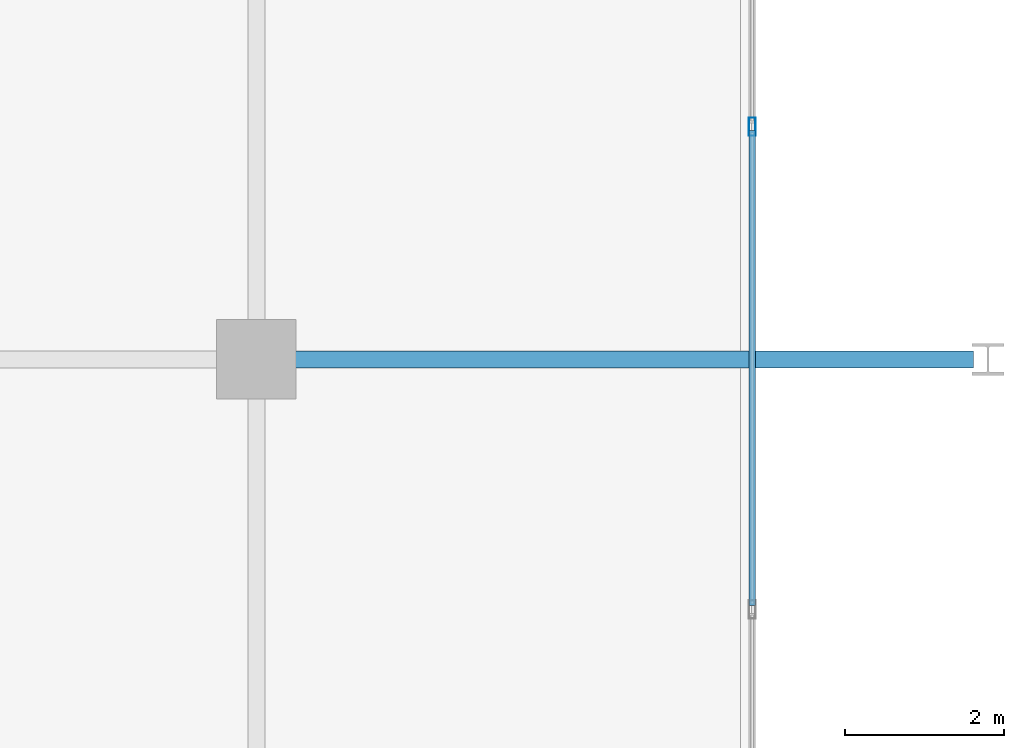
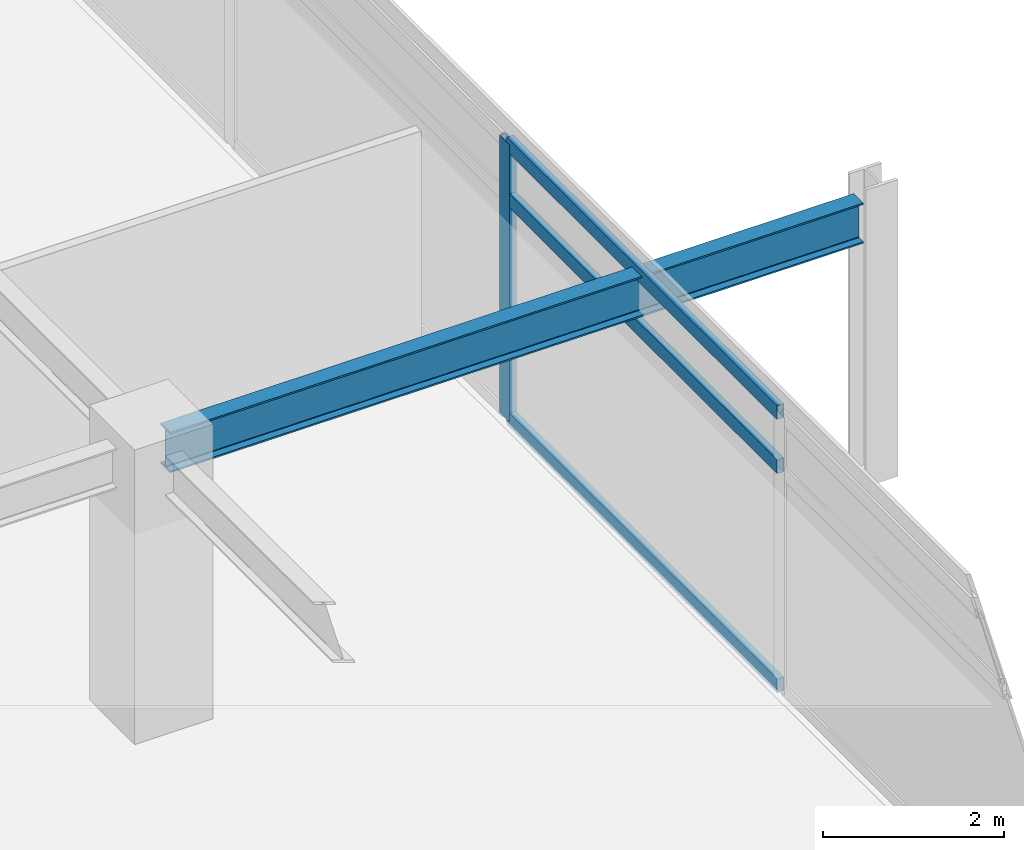
# One storey, part 7 of 20: 4 members, 1 beam, 1 element without a shape of its own.
"""IFC4 building model written with IfcOpenShell, lengths in metres."""

import ifcopenshell
import ifcopenshell.guid

model = None  # the IFC model being written
_history = None  # IfcOwnerHistory: only IFC2X3 demands one
_inside = {}  # id of a spatial element -> (the spatial element, [elements in it])
_under = {}  # id of a project, library or spatial element -> (it, [spatial elements below it])
_declared = {}  # id of a project -> (the project, [libraries it declares])
_typed = {}  # id of a type object -> (the type object, [elements of that type])
_made_of = {}  # id of a material, layer set ... -> (it, [elements and type objects made of it])


def new_model(schema):
    """Start an empty IFC model of exactly this schema.

    Asked for "IFC4X3", IfcOpenShell would pick the latest addendum, in which some entities
    have other attributes; the version numbers below select the first issue.
    IFC2X3 requires an IfcOwnerHistory on every rooted entity: one is made here for all.
    """
    global model, _history
    if schema == "IFC4X3":
        model = ifcopenshell.file(schema_version=(4, 3, 0, 0))
    else:
        model = ifcopenshell.file(schema=schema)
    _inside.clear()
    _under.clear()
    _declared.clear()
    _typed.clear()
    _made_of.clear()
    _history = None
    if model.schema == "IFC2X3":
        org = make("IfcOrganization", Name="unknown")
        user = make(
            "IfcPersonAndOrganization",
            ThePerson=make("IfcPerson", FamilyName="unknown"),
            TheOrganization=org,
        )
        app = make(
            "IfcApplication",
            ApplicationDeveloper=org,
            Version="unknown",
            ApplicationFullName="unknown",
            ApplicationIdentifier="unknown",
        )
        _history = make(
            "IfcOwnerHistory",
            OwningUser=user,
            OwningApplication=app,
            ChangeAction="ADDED",
            CreationDate=0,
        )
    return model


def make(cls, **values):
    """One entity of the class cls with the attributes given. An attribute that is None is left unset."""
    return model.create_entity(
        cls, **{name: value for name, value in values.items() if value is not None}
    )


def rooted(cls, **values):
    """An entity with a GlobalId (a new one), such as an element, a storey or a relation."""
    return make(cls, GlobalId=ifcopenshell.guid.new(), OwnerHistory=_history, **values)


def si_unit(unit_type, name, prefix=None):
    """IfcSIUnit, for example si_unit("LENGTHUNIT", "METRE", prefix="MILLI")."""
    return make("IfcSIUnit", UnitType=unit_type, Prefix=prefix, Name=name)


def assignment(units):
    """IfcUnitAssignment: the units of a project."""
    return None if units is None else make("IfcUnitAssignment", Units=units)


def point(xyz):
    """IfcCartesianPoint."""
    return None if xyz is None else make("IfcCartesianPoint", Coordinates=xyz)


def direction(xyz):
    """IfcDirection."""
    return None if xyz is None else make("IfcDirection", DirectionRatios=xyz)


def frame(location, z_axis=None, x_axis=None):
    """IfcAxis2Placement3D, a coordinate frame: its origin and axes. An axis left out is left unset."""
    return make(
        "IfcAxis2Placement3D",
        Location=point(location),
        Axis=direction(z_axis),
        RefDirection=direction(x_axis),
    )


def frame_2d(location, x_axis=None):
    """IfcAxis2Placement2D, a coordinate frame in the plane: its origin and x axis."""
    return make(
        "IfcAxis2Placement2D", Location=point(location), RefDirection=direction(x_axis)
    )


def origin():
    """The frame at (0, 0, 0) with its axes left unset."""
    return frame((0.0, 0.0, 0.0))


def origin_2d():
    """The frame at (0, 0) in the plane with its x axis left unset."""
    return frame_2d((0.0, 0.0))


def place(relative_to, where):
    """IfcLocalPlacement: puts the frame where relative to a parent placement (None: the world)."""
    return make(
        "IfcLocalPlacement", PlacementRelTo=relative_to, RelativePlacement=where
    )


def context(
    kind, dimensions, precision=None, world=None, true_north=None, identifier=None
):
    """IfcGeometricRepresentationContext, for example the 3D "Model" context."""
    return make(
        "IfcGeometricRepresentationContext",
        ContextIdentifier=identifier,
        ContextType=kind,
        CoordinateSpaceDimension=dimensions,
        Precision=precision,
        WorldCoordinateSystem=world,
        TrueNorth=true_north,
    )


def subcontext(parent, identifier, kind, view, scale=None):
    """IfcGeometricRepresentationSubContext, for example "Body" below "Model"."""
    return make(
        "IfcGeometricRepresentationSubContext",
        ContextIdentifier=identifier,
        ContextType=kind,
        ParentContext=parent,
        TargetScale=scale,
        TargetView=view,
    )


def project(units=None, contexts=None):
    """IfcProject with its units and contexts."""
    return rooted(
        "IfcProject",
        Name="project",
        RepresentationContexts=contexts,
        UnitsInContext=assignment(units),
    )


def spatial(cls, under=None, at=None, **own):
    """A site, building, storey or space (cls), placed at a placement, below another one or the project."""
    s = rooted(cls, ObjectPlacement=at, **own)
    if under is not None:
        _under.setdefault(under.id(), (under, []))[1].append(s)
    return s


def profile(cls, at=None, kind="AREA", **sizes):
    """A parametric profile (cls). Its sizes go by their IFC names, for example OverallWidth=200.0."""
    return make(cls, ProfileType=kind, Position=at, **sizes)


def hollow_rectangle(**sizes):
    """IfcRectangleHollowProfileDef."""
    return profile("IfcRectangleHollowProfileDef", **sizes)


def i_section(**sizes):
    """IfcIShapeProfileDef."""
    return profile("IfcIShapeProfileDef", **sizes)


def extrude(swept, where, along, depth):
    """IfcExtrudedAreaSolid: the profile swept, set in the frame where, extruded along a direction by depth."""
    return make(
        "IfcExtrudedAreaSolid",
        SweptArea=swept,
        Position=where,
        ExtrudedDirection=direction(along),
        Depth=depth,
    )


def shape(context_of_items, identifier, shape_type, items):
    """IfcShapeRepresentation: the items that make up one representation, for example the "Body"."""
    return make(
        "IfcShapeRepresentation",
        ContextOfItems=context_of_items,
        RepresentationIdentifier=identifier,
        RepresentationType=shape_type,
        Items=items,
    )


def material(Name=None, Category=None):
    """IfcMaterial."""
    return make("IfcMaterial", Name=Name, Category=Category)


def material_profile(
    of_material, cross_section, Name=None, Category=None, Priority=None
):
    """IfcMaterialProfile: a cross section and its material."""
    return make(
        "IfcMaterialProfile",
        Name=Name,
        Material=of_material,
        Profile=cross_section,
        Priority=Priority,
        Category=Category,
    )


def profile_set(profiles, Name=None, composite=None):
    """IfcMaterialProfileSet."""
    return make(
        "IfcMaterialProfileSet",
        Name=Name,
        MaterialProfiles=profiles,
        CompositeProfile=composite,
    )


def made_of(thing, what):
    """Note that an element or type object is made of a material, layer set ...; save() writes the relation."""
    if what is not None:
        _made_of.setdefault(what.id(), (what, []))[1].append(thing)
    return thing


def type_object(cls, material=None, **own):
    """A type object (cls), such as IfcWallType, which elements share."""
    return made_of(rooted(cls, **own), material)


def element(
    cls,
    number,
    at=None,
    inside=None,
    cuts=None,
    type_object=None,
    material=None,
    context=None,
    identifier="Body",
    shape_type=None,
    held_by="IfcProductDefinitionShape",
    body=None,
    shapes=None,
    **own,
):
    """One element of the class cls, such as IfcWall. Its Tag is "e" and its number.

    at: its placement. inside: the storey or other place that contains it. cuts: it is an
    opening in that element (IfcRelVoidsElement). A single representation is given by context,
    identifier, shape_type and body (its items); several are given by shapes. held_by: the class
    of the entity that holds the representations. save() writes the other relations.
    """
    e = rooted(cls, Tag="e%d" % number, ObjectPlacement=at, **own)
    if body is not None:
        shapes = [shape(context, identifier, shape_type, body)]
    if shapes is not None:
        e.Representation = make(held_by, Representations=shapes)
    if inside is not None:
        _inside.setdefault(inside.id(), (inside, []))[1].append(e)
    if cuts is not None:
        rooted(
            "IfcRelVoidsElement", RelatingBuildingElement=cuts, RelatedOpeningElement=e
        )
    if type_object is not None:
        _typed.setdefault(type_object.id(), (type_object, []))[1].append(e)
    return made_of(e, material)


def aggregate(whole, parts):
    """IfcRelAggregates: a whole, such as a stair, and the parts it consists of."""
    return rooted("IfcRelAggregates", RelatingObject=whole, RelatedObjects=parts)


def save(model, path):
    """Write the relations noted so far, then the file.

    IfcRelAggregates (storeys below a building ...), IfcRelContainedInSpatialStructure (elements
    in a storey), IfcRelDefinesByType, IfcRelAssociatesMaterial and IfcRelDeclares: one each for
    every whole, place, type object, material and project.
    """
    for whole, parts in _under.values():
        aggregate(whole, parts)
    for where, things in _inside.values():
        rooted(
            "IfcRelContainedInSpatialStructure",
            RelatedElements=things,
            RelatingStructure=where,
        )
    for kind, things in _typed.values():
        rooted("IfcRelDefinesByType", RelatedObjects=things, RelatingType=kind)
    for what, things in _made_of.values():
        rooted("IfcRelAssociatesMaterial", RelatedObjects=things, RelatingMaterial=what)
    for by, libraries in _declared.values():
        rooted("IfcRelDeclares", RelatingContext=by, RelatedDefinitions=libraries)
    model.write(path)


model = new_model("IFC4")

# Units and contexts
model_context = context("Model", 3, precision=1e-05, world=origin(), true_north=direction((0.0, 1.0)))
body_context = subcontext(model_context, "Body", "Model", "MODEL_VIEW")
ifc_project = project(units=[si_unit("LENGTHUNIT", "METRE"), si_unit("AREAUNIT", "SQUARE_METRE"), si_unit("VOLUMEUNIT", "CUBIC_METRE"), si_unit("PLANEANGLEUNIT", "RADIAN"), si_unit("MASSUNIT", "GRAM", prefix="KILO")], contexts=[model_context])

# Site, building, storey
site_placement = place(None, origin())
site = spatial("IfcSite", under=ifc_project, at=site_placement, CompositionType="ELEMENT")
building_placement = place(site_placement, origin())
building = spatial("IfcBuilding", under=site, at=building_placement, Name="Kovane Verandah Tower", CompositionType="ELEMENT")
storey_placement = place(building_placement, frame((0.0, 0.0, 330.800048828125)))
storey = spatial("IfcBuildingStorey", under=building, at=storey_placement, Name="L77", CompositionType="ELEMENT", Elevation=330.800048828125)

# Beam
ifc_material_1 = material(Name="Steel S355", Category="steel")
ifc_material_profile_1 = material_profile(ifc_material_1, i_section(OverallWidth=0.2119140625, OverallDepth=0.54443359375, WebThickness=0.0126953125, FlangeThickness=0.021240234375, FilletRadius=0.0126953125, at=origin_2d()), Name="UB533x210x122")
ifc_profile_set_1 = profile_set([ifc_material_profile_1], Name="Steel S355")
beam_type = type_object("IfcBeamType", Name="BM-UB533x122", PredefinedType="BEAM", material=ifc_profile_set_1)
beam_placement = place(storey_placement, frame((58.580078125, 18.5, 3.48779296875), z_axis=(1.0, 0.0, 0.0), x_axis=(0.0, 1.0, 0.0)))
element("IfcBeam", 1, at=beam_placement, inside=storey, type_object=beam_type, Name="L77 Primary Tower Girder G-VE1", PredefinedType="BEAM", context=body_context, shape_type="SweptSolid", body=[
    extrude(i_section(OverallWidth=0.2119140625, OverallDepth=0.54443359375, WebThickness=0.0126953125, FlangeThickness=0.021240234375, FilletRadius=0.0126953125, at=origin_2d()), origin(), (0.0, 0.0, 1.0), 8.83984375),
])

# Curtain wall, members
ifc_material_2 = material(Name="Champagne Anodised Aluminium Frame with Low-E Clear Laminated Glass", Category="aluminium")
curtain_wall_type = type_object("IfcCurtainWallType", Name="CW-SYS-05-HIGH", PredefinedType="NOTDEFINED", material=ifc_material_2)
curtain_wall_placement = place(storey_placement, origin())
curtain_wall = element("IfcCurtainWall", 2, at=curtain_wall_placement, inside=storey, type_object=curtain_wall_type, Name="L77 E Unitised Curtain Wall", PredefinedType="NOTDEFINED")
ifc_material_3 = material(Name="Champagne Anodised Aluminium 6063-T6", Category="aluminium")
ifc_material_profile_2 = material_profile(ifc_material_3, hollow_rectangle(XDim=0.0849609375, YDim=0.22998046875, WallThickness=0.00390625, at=origin_2d()), Name="AL85x230x4")
ifc_profile_set_2 = profile_set([ifc_material_profile_2], Name="Champagne Anodised Aluminium 6063-T6")
member_type_1 = type_object("IfcMemberType", Name="CW-MUL-85x230", PredefinedType="MULLION", material=ifc_profile_set_2)
member_1_placement = place(storey_placement, frame((64.636474609375, 21.42724609375, 0.02001953125), z_axis=(0.0, 0.0, 1.0), x_axis=(1.0, 0.0, 0.0)))
member_1 = element("IfcMember", 3, at=member_1_placement, type_object=member_type_1, Name="L77 E Unitised Curtain Wall Mullion 3", PredefinedType="MULLION", context=body_context, shape_type="SweptSolid", body=[
    extrude(hollow_rectangle(XDim=0.0849609375, YDim=0.22998046875, WallThickness=0.00390625, at=origin_2d()), origin(), (0.0, 0.0, 1.0), 3.744873046875),
])
ifc_material_profile_3 = material_profile(ifc_material_3, hollow_rectangle(XDim=0.0849609375, YDim=0.18994140625, WallThickness=0.00390625, at=origin_2d()), Name="AL85x190x4")
ifc_profile_set_3 = profile_set([ifc_material_profile_3], Name="Champagne Anodised Aluminium 6063-T6")
member_type_2 = type_object("IfcMemberType", Name="CW-TRN-85x190", PredefinedType="USERDEFINED", material=ifc_profile_set_3)
member_2_placement = place(storey_placement, frame((64.636474609375, 15.404541015625, 0.050048828125), z_axis=(0.0, 1.0, 0.0), x_axis=(-1.0, 0.0, 0.0)))
member_2 = element("IfcMember", 4, at=member_2_placement, type_object=member_type_2, Name="L77 E Unitised Curtain Wall Transom TB Bay 2", ObjectType="TRANSOM", PredefinedType="USERDEFINED", context=body_context, shape_type="SweptSolid", body=[
    extrude(hollow_rectangle(XDim=0.0849609375, YDim=0.18994140625, WallThickness=0.00390625, at=origin_2d()), origin(), (0.0, 0.0, 1.0), 5.97265625),
])
member_3_placement = place(storey_placement, frame((64.636474609375, 15.404541015625, 3.0048828125), z_axis=(0.0, 1.0, 0.0), x_axis=(-1.0, 0.0, 0.0)))
member_3 = element("IfcMember", 5, at=member_3_placement, type_object=member_type_2, Name="L77 E Unitised Curtain Wall Transom TM Bay 2", ObjectType="TRANSOM", PredefinedType="USERDEFINED", context=body_context, shape_type="SweptSolid", body=[
    extrude(hollow_rectangle(XDim=0.0849609375, YDim=0.18994140625, WallThickness=0.00390625, at=origin_2d()), origin(), (0.0, 0.0, 1.0), 5.97265625),
])
member_4_placement = place(storey_placement, frame((64.636474609375, 15.404541015625, 3.73486328125), z_axis=(0.0, 1.0, 0.0), x_axis=(-1.0, 0.0, 0.0)))
member_4 = element("IfcMember", 6, at=member_4_placement, type_object=member_type_2, Name="L77 E Unitised Curtain Wall Transom TT Bay 2", ObjectType="TRANSOM", PredefinedType="USERDEFINED", context=body_context, shape_type="SweptSolid", body=[
    extrude(hollow_rectangle(XDim=0.0849609375, YDim=0.18994140625, WallThickness=0.00390625, at=origin_2d()), origin(), (0.0, 0.0, 1.0), 5.97265625),
])
aggregate(curtain_wall, [member_1, member_2, member_3, member_4])

save(model, "model.ifc")
